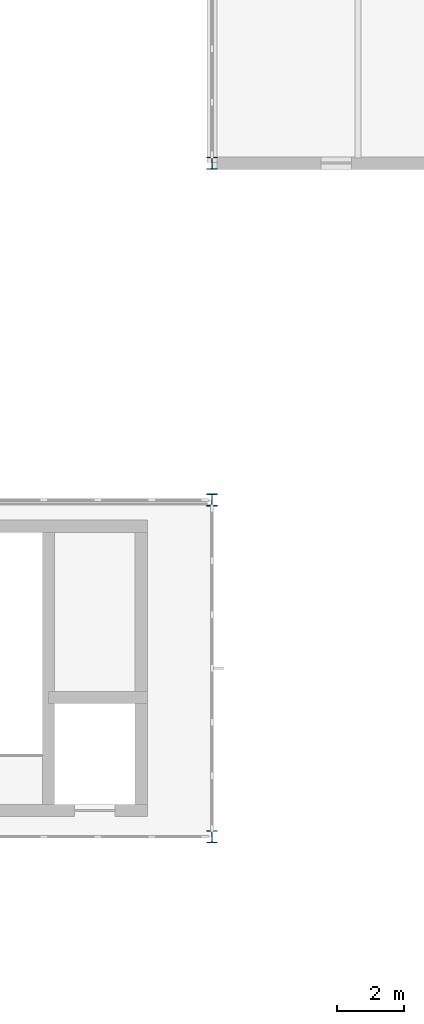
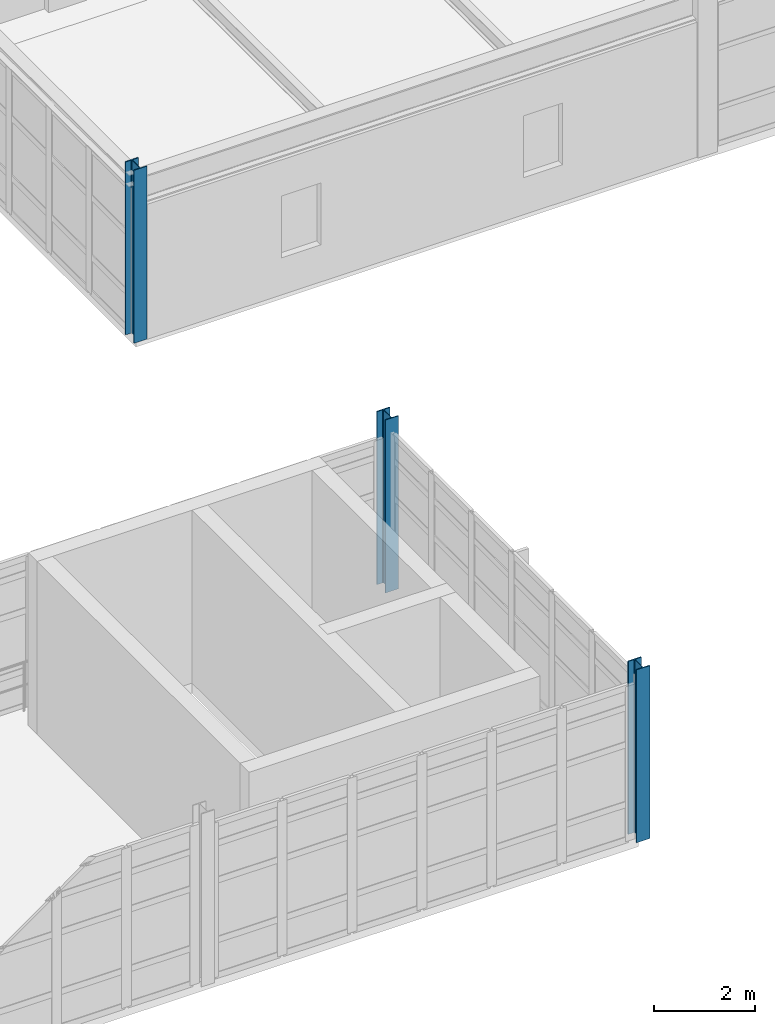
# One storey, part 10 of 122: 3 columns.
"""IFC4 building model written with IfcOpenShell, lengths in metres."""

from ifc_helpers import new_model, si_unit, direction, frame, origin, origin_2d, place, context, subcontext, project, spatial, i_section, extrude, material, material_profile, profile_set, type_object, element, save


model = new_model("IFC4")

# Units and contexts
model_context = context("Model", 3, precision=1e-05, world=origin(), true_north=direction((0.0, 1.0)))
body_context = subcontext(model_context, "Body", "Model", "MODEL_VIEW")
ifc_project = project(units=[si_unit("LENGTHUNIT", "METRE"), si_unit("AREAUNIT", "SQUARE_METRE"), si_unit("VOLUMEUNIT", "CUBIC_METRE"), si_unit("PLANEANGLEUNIT", "RADIAN"), si_unit("MASSUNIT", "GRAM", prefix="KILO"), si_unit("THERMODYNAMICTEMPERATUREUNIT", "KELVIN"), si_unit("POWERUNIT", "WATT")], contexts=[model_context])

# Site, building, storey
site_placement = place(None, origin())
site = spatial("IfcSite", under=ifc_project, at=site_placement, CompositionType="ELEMENT")
building_placement = place(site_placement, origin())
building = spatial("IfcBuilding", under=site, at=building_placement, Name="Korenveer Ferry Terminal", CompositionType="ELEMENT")
storey_placement = place(building_placement, frame((0.0, 0.0, 10.199951171875)))
storey = spatial("IfcBuildingStorey", under=building, at=storey_placement, Name="L02", CompositionType="ELEMENT", Elevation=10.199951171875)

# Columns
ifc_material = material(Name="Steel S355", Category="steel")
ifc_material_profile = material_profile(ifc_material, i_section(OverallWidth=0.300048828125, OverallDepth=0.360107421875, WebThickness=0.012451171875, FlangeThickness=0.0224609375, FilletRadius=0.027099609375, at=origin_2d()), Name="HEB 360")
ifc_profile_set = profile_set([ifc_material_profile], Name="Steel S355")
column_type = type_object("IfcColumnType", Name="STR-COL-HEB360", PredefinedType="COLUMN", material=ifc_profile_set)
for number, where, z_axis, x_axis, name in (
    (1, (123.0, 50.0, 0.0), (0.0, 0.0, 1.0), (1.0, 0.0, 0.0), "Column COL-L02-X123-Y50"),
    (2, (123.0, 60.0, 0.0), (0.0, 0.0, 1.0), (1.0, 0.0, 0.0), "Column COL-L02-X123-Y60"),
    (3, (123.0, 70.0, 0.0), (0.0, 0.0, 1.0), (1.0, 0.0, 0.0), "Column COL-L02-X123-Y70"),
):
    element("IfcColumn", number, at=place(storey_placement, frame(where, z_axis=z_axis, x_axis=x_axis)), inside=storey, type_object=column_type, Name=name, PredefinedType="COLUMN", context=body_context, shape_type="SweptSolid", body=[
        extrude(i_section(OverallWidth=0.300048828125, OverallDepth=0.360107421875, WebThickness=0.012451171875, FlangeThickness=0.0224609375, FilletRadius=0.027099609375, at=origin_2d()), origin(), (0.0, 0.0, 1.0), 4.199951171875),
    ])

save(model, "model.ifc")
